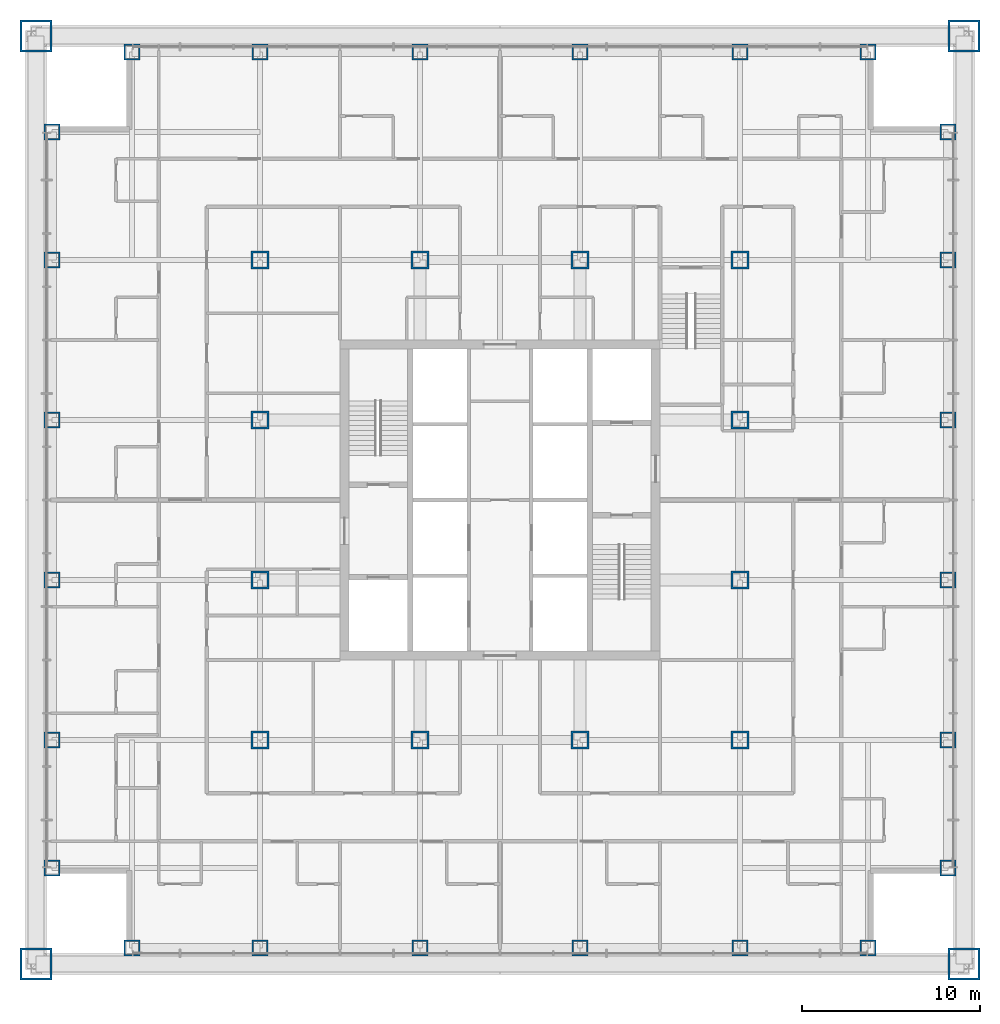
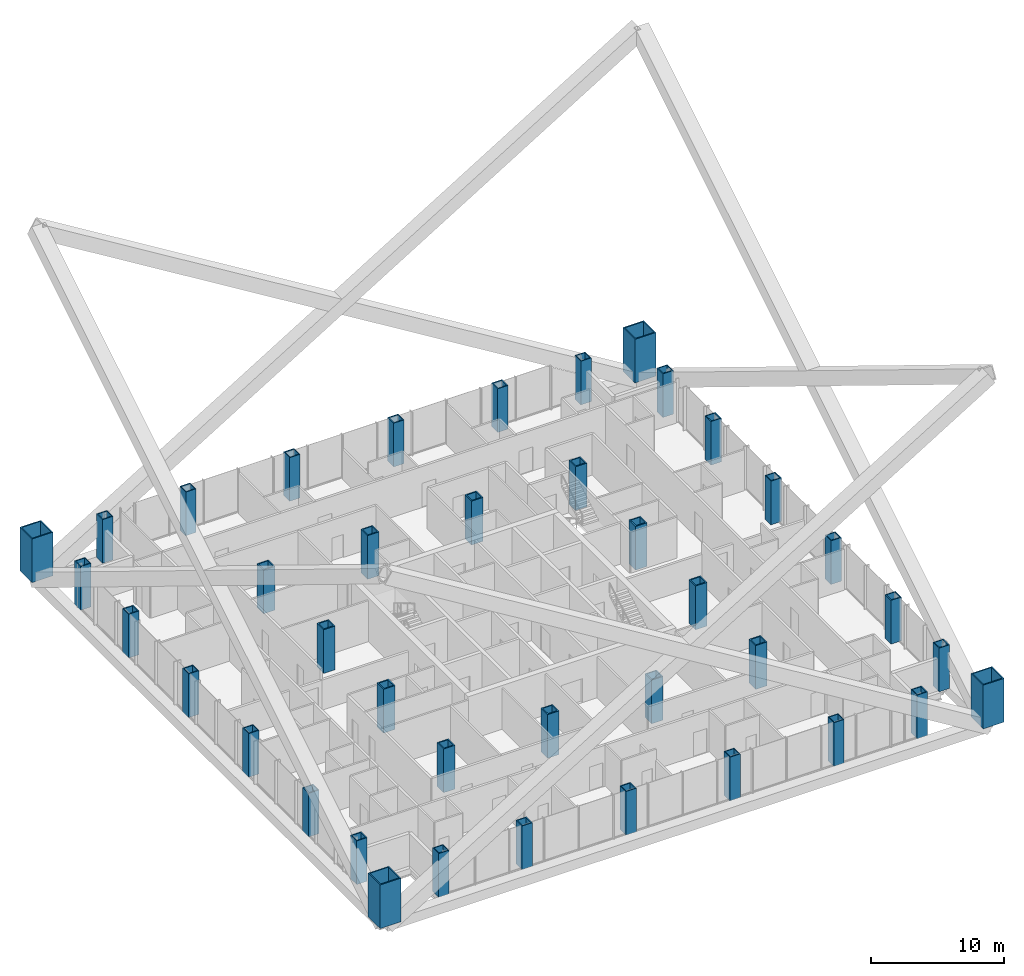
# One storey, part 1 of 21: 40 columns.
"""IFC4 building model written with IfcOpenShell, lengths in metres."""

from ifc_helpers import new_model, si_unit, direction, frame, origin, origin_2d, place, context, subcontext, project, spatial, hollow_rectangle, extrude, material, material_profile, profile_set, type_object, element, save


model = new_model("IFC4")

# Units and contexts
model_context = context("Model", 3, precision=1e-05, world=origin(), true_north=direction((0.0, 1.0)))
body_context = subcontext(model_context, "Body", "Model", "MODEL_VIEW")
ifc_project = project(units=[si_unit("LENGTHUNIT", "METRE"), si_unit("AREAUNIT", "SQUARE_METRE"), si_unit("VOLUMEUNIT", "CUBIC_METRE"), si_unit("PLANEANGLEUNIT", "RADIAN"), si_unit("MASSUNIT", "GRAM", prefix="KILO")], contexts=[model_context])

# Site, building, storey
site_placement = place(None, origin())
site = spatial("IfcSite", under=ifc_project, at=site_placement, CompositionType="ELEMENT")
building_placement = place(site_placement, origin())
building = spatial("IfcBuilding", under=site, at=building_placement, Name="Malebo Sky Hospital", CompositionType="ELEMENT")
storey_placement = place(building_placement, frame((0.0, 0.0, 63.0)))
storey = spatial("IfcBuildingStorey", under=building, at=storey_placement, Name="L14", CompositionType="ELEMENT", Elevation=63.0)

# Columns
ifc_material = material(Name="Steel S460", Category="steel")
ifc_material_profile_1 = material_profile(ifc_material, hollow_rectangle(XDim=1.0, YDim=1.0, WallThickness=0.10009765625, at=origin_2d()), Name="BOX 1000x1000x100")
ifc_profile_set_1 = profile_set([ifc_material_profile_1], Name="Steel S460")
column_type_1 = type_object("IfcColumnType", Name="INNER COLUMN BOX 1000x1000x100", PredefinedType="COLUMN", material=ifc_profile_set_1)
for number, where, z_axis, x_axis, name in (
    (1, (46.5, 48.5, 0.0), (0.0, 0.0, 1.0), (1.0, 0.0, 0.0), "Column IC9 L14"),
    (2, (73.5, 48.5, 0.0), (0.0, 0.0, 1.0), (1.0, 0.0, 0.0), "Column IC9 L14"),
    (3, (73.5, 75.5, 0.0), (0.0, 0.0, 1.0), (1.0, 0.0, 0.0), "Column IC9 L14"),
    (4, (46.5, 75.5, 0.0), (0.0, 0.0, 1.0), (1.0, 0.0, 0.0), "Column IC9 L14"),
    (5, (55.5, 48.5, 0.0), (0.0, 0.0, 1.0), (1.0, 0.0, 0.0), "Column IC9 L14"),
    (6, (64.5, 48.5, 0.0), (0.0, 0.0, 1.0), (1.0, 0.0, 0.0), "Column IC9 L14"),
    (7, (55.5, 75.5, 0.0), (0.0, 0.0, 1.0), (1.0, 0.0, 0.0), "Column IC9 L14"),
    (8, (64.5, 75.5, 0.0), (0.0, 0.0, 1.0), (1.0, 0.0, 0.0), "Column IC9 L14"),
    (9, (46.5, 57.5, 0.0), (0.0, 0.0, 1.0), (1.0, 0.0, 0.0), "Column IC9 L14"),
    (10, (46.5, 66.5, 0.0), (0.0, 0.0, 1.0), (1.0, 0.0, 0.0), "Column IC9 L14"),
    (11, (73.5, 57.5, 0.0), (0.0, 0.0, 1.0), (1.0, 0.0, 0.0), "Column IC9 L14"),
    (12, (73.5, 66.5, 0.0), (0.0, 0.0, 1.0), (1.0, 0.0, 0.0), "Column IC9 L14"),
):
    element("IfcColumn", number, at=place(storey_placement, frame(where, z_axis=z_axis, x_axis=x_axis)), inside=storey, type_object=column_type_1, Name=name, PredefinedType="COLUMN", context=body_context, shape_type="SweptSolid", body=[
        extrude(hollow_rectangle(XDim=1.0, YDim=1.0, WallThickness=0.10009765625, at=origin_2d()), origin(), (0.0, 0.0, 1.0), 4.0),
    ])
ifc_material_profile_2 = material_profile(ifc_material, hollow_rectangle(XDim=1.800048828125, YDim=1.800048828125, WallThickness=0.10009765625, at=origin_2d()), Name="BOX 1800x1800x100")
ifc_profile_set_2 = profile_set([ifc_material_profile_2], Name="Steel S460")
column_type_2 = type_object("IfcColumnType", Name="MEGA COLUMN BOX 1800x1800x100", PredefinedType="COLUMN", material=ifc_profile_set_2)
for number, where, z_axis, x_axis, name in (
    (13, (33.89990234375, 35.89990234375, 0.0), (0.0, 0.0, 1.0), (1.0, 0.0, 0.0), "Mega column SW L14"),
    (14, (86.10009765625, 35.89990234375, 0.0), (0.0, 0.0, 1.0), (1.0, 0.0, 0.0), "Mega column SE L14"),
    (15, (86.10009765625, 88.10009765625, 0.0), (0.0, 0.0, 1.0), (1.0, 0.0, 0.0), "Mega column NE L14"),
    (16, (33.89990234375, 88.10009765625, 0.0), (0.0, 0.0, 1.0), (1.0, 0.0, 0.0), "Mega column NW L14"),
):
    element("IfcColumn", number, at=place(storey_placement, frame(where, z_axis=z_axis, x_axis=x_axis)), inside=storey, type_object=column_type_2, Name=name, PredefinedType="COLUMN", context=body_context, shape_type="SweptSolid", body=[
        extrude(hollow_rectangle(XDim=1.800048828125, YDim=1.800048828125, WallThickness=0.10009765625, at=origin_2d()), origin(), (0.0, 0.0, 1.0), 4.0),
    ])
ifc_material_profile_3 = material_profile(ifc_material, hollow_rectangle(XDim=0.89990234375, YDim=0.89990234375, WallThickness=0.080078125, at=origin_2d()), Name="BOX 900x900x80")
ifc_profile_set_3 = profile_set([ifc_material_profile_3], Name="Steel S460")
column_type_3 = type_object("IfcColumnType", Name="PERIMETER COLUMN BOX 900x900x80", PredefinedType="COLUMN", material=ifc_profile_set_3)
for number, where, z_axis, x_axis, name in (
    (17, (39.300048828125, 36.800048828125, 0.0), (0.0, 0.0, 1.0), (1.0, 0.0, 0.0), "Column PC8 L14"),
    (18, (39.300048828125, 87.199951171875, 0.0), (0.0, 0.0, 1.0), (1.0, 0.0, 0.0), "Column PC8 L14"),
    (19, (34.800048828125, 41.300048828125, 0.0), (0.0, 0.0, 1.0), (1.0, 0.0, 0.0), "Column PC8 L14"),
    (20, (85.199951171875, 41.300048828125, 0.0), (0.0, 0.0, 1.0), (1.0, 0.0, 0.0), "Column PC8 L14"),
    (21, (46.5, 36.800048828125, 0.0), (0.0, 0.0, 1.0), (1.0, 0.0, 0.0), "Column PC8 L14"),
    (22, (46.5, 87.199951171875, 0.0), (0.0, 0.0, 1.0), (1.0, 0.0, 0.0), "Column PC8 L14"),
    (23, (34.800048828125, 48.5, 0.0), (0.0, 0.0, 1.0), (1.0, 0.0, 0.0), "Column PC8 L14"),
    (24, (85.199951171875, 48.5, 0.0), (0.0, 0.0, 1.0), (1.0, 0.0, 0.0), "Column PC8 L14"),
    (25, (55.5, 36.800048828125, 0.0), (0.0, 0.0, 1.0), (1.0, 0.0, 0.0), "Column PC8 L14"),
    (26, (55.5, 87.199951171875, 0.0), (0.0, 0.0, 1.0), (1.0, 0.0, 0.0), "Column PC8 L14"),
    (27, (34.800048828125, 57.5, 0.0), (0.0, 0.0, 1.0), (1.0, 0.0, 0.0), "Column PC8 L14"),
    (28, (85.199951171875, 57.5, 0.0), (0.0, 0.0, 1.0), (1.0, 0.0, 0.0), "Column PC8 L14"),
    (29, (64.5, 36.800048828125, 0.0), (0.0, 0.0, 1.0), (1.0, 0.0, 0.0), "Column PC8 L14"),
    (30, (64.5, 87.199951171875, 0.0), (0.0, 0.0, 1.0), (1.0, 0.0, 0.0), "Column PC8 L14"),
    (31, (34.800048828125, 66.5, 0.0), (0.0, 0.0, 1.0), (1.0, 0.0, 0.0), "Column PC8 L14"),
    (32, (85.199951171875, 66.5, 0.0), (0.0, 0.0, 1.0), (1.0, 0.0, 0.0), "Column PC8 L14"),
    (33, (73.5, 36.800048828125, 0.0), (0.0, 0.0, 1.0), (1.0, 0.0, 0.0), "Column PC8 L14"),
    (34, (73.5, 87.199951171875, 0.0), (0.0, 0.0, 1.0), (1.0, 0.0, 0.0), "Column PC8 L14"),
    (35, (34.800048828125, 75.5, 0.0), (0.0, 0.0, 1.0), (1.0, 0.0, 0.0), "Column PC8 L14"),
    (36, (85.199951171875, 75.5, 0.0), (0.0, 0.0, 1.0), (1.0, 0.0, 0.0), "Column PC8 L14"),
    (37, (80.699951171875, 36.800048828125, 0.0), (0.0, 0.0, 1.0), (1.0, 0.0, 0.0), "Column PC8 L14"),
    (38, (80.699951171875, 87.199951171875, 0.0), (0.0, 0.0, 1.0), (1.0, 0.0, 0.0), "Column PC8 L14"),
    (39, (34.800048828125, 82.699951171875, 0.0), (0.0, 0.0, 1.0), (1.0, 0.0, 0.0), "Column PC8 L14"),
    (40, (85.199951171875, 82.699951171875, 0.0), (0.0, 0.0, 1.0), (1.0, 0.0, 0.0), "Column PC8 L14"),
):
    element("IfcColumn", number, at=place(storey_placement, frame(where, z_axis=z_axis, x_axis=x_axis)), inside=storey, type_object=column_type_3, Name=name, PredefinedType="COLUMN", context=body_context, shape_type="SweptSolid", body=[
        extrude(hollow_rectangle(XDim=0.89990234375, YDim=0.89990234375, WallThickness=0.080078125, at=origin_2d()), origin(), (0.0, 0.0, 1.0), 4.0),
    ])

save(model, "model.ifc")
